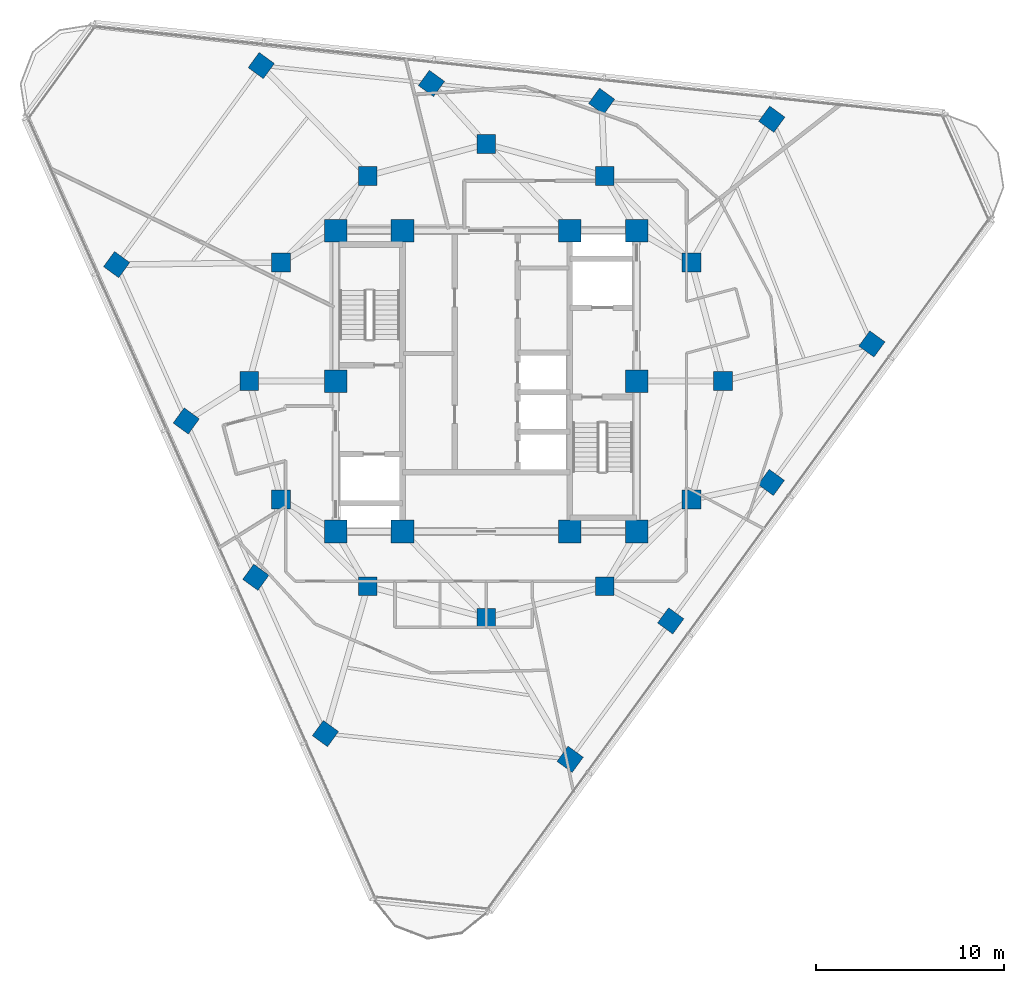
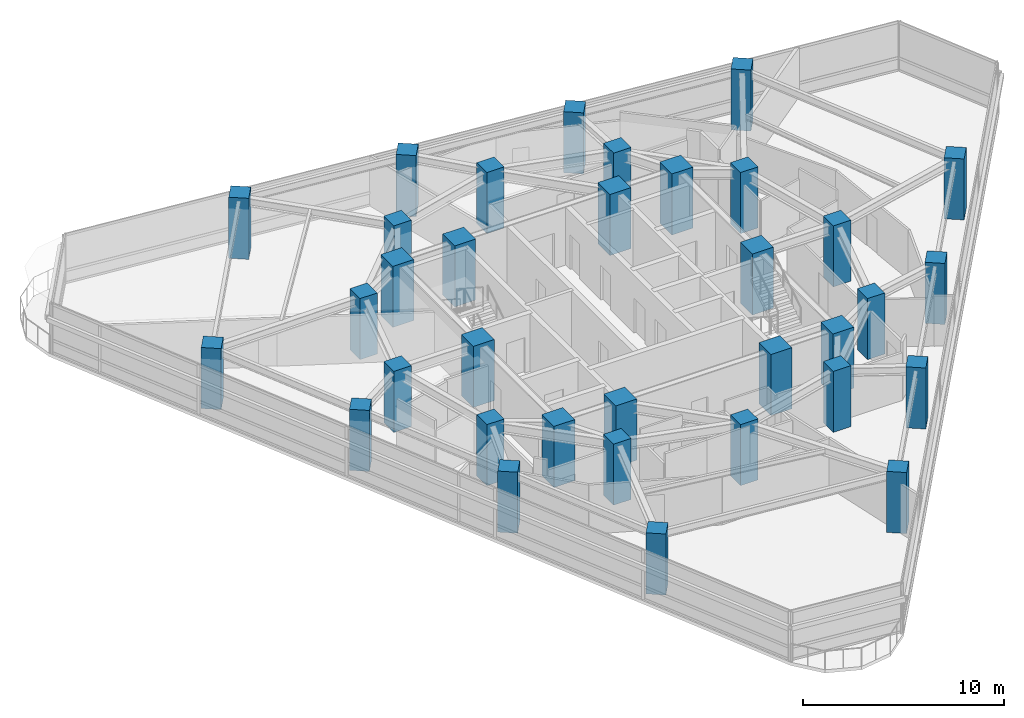
# One storey, part 1 of 14: 34 columns.
"""IFC4 building model written with IfcOpenShell, lengths in metres."""

from ifc_helpers import new_model, si_unit, direction, frame, origin, origin_2d, place, context, subcontext, project, spatial, rectangle, extrude, material, material_profile, profile_set, type_object, element, save


model = new_model("IFC4")

# Units and contexts
model_context = context("Model", 3, precision=1e-05, world=origin(), true_north=direction((0.0, 1.0)))
body_context = subcontext(model_context, "Body", "Model", "MODEL_VIEW")
ifc_project = project(units=[si_unit("LENGTHUNIT", "METRE"), si_unit("AREAUNIT", "SQUARE_METRE"), si_unit("VOLUMEUNIT", "CUBIC_METRE"), si_unit("PLANEANGLEUNIT", "RADIAN"), si_unit("MASSUNIT", "GRAM", prefix="KILO")], contexts=[model_context])

# Site, building, storey
site_placement = place(None, origin())
site = spatial("IfcSite", under=ifc_project, at=site_placement, CompositionType="ELEMENT")
building_placement = place(site_placement, origin())
building = spatial("IfcBuilding", under=site, at=building_placement, Name="Terralouvre Media Tower", CompositionType="ELEMENT")
storey_placement = place(building_placement, frame((0.0, 0.0, 218.89990234375)))
storey = spatial("IfcBuildingStorey", under=building, at=storey_placement, Name="L56", CompositionType="ELEMENT", Elevation=218.89990234375)

# Columns
ifc_material_1 = material(Name="Concrete C50/60", Category="concrete")
ifc_material_profile_1 = material_profile(ifc_material_1, rectangle(XDim=1.0, YDim=1.0, at=origin_2d()), Name="RC 1000x1000")
ifc_profile_set_1 = profile_set([ifc_material_profile_1], Name="Concrete C50/60")
column_type_1 = type_object("IfcColumnType", Name="Structural Column C-RC1000 (RC 1000x1000)", PredefinedType="COLUMN", material=ifc_profile_set_1)
for number, where, z_axis, x_axis, name in (
    (1, (12.60009765625, 0.0, 0.0), (0.0, 0.0, 1.0), (1.0, 0.0, 0.0), "L56 Mega-Frame Column MC01"),
    (2, (10.911865234375, 6.300048828125, 0.0), (0.0, 0.0, 1.0), (1.0, 0.0, 0.0), "L56 Mega-Frame Column MC02"),
    (3, (6.300048828125, 10.911865234375, 0.0), (0.0, 0.0, 1.0), (1.0, 0.0, 0.0), "L56 Mega-Frame Column MC03"),
    (4, (0.0, 12.60009765625, 0.0), (0.0, 0.0, 1.0), (1.0, 0.0, 0.0), "L56 Mega-Frame Column MC04"),
    (5, (-6.300048828125, 10.911865234375, 0.0), (0.0, 0.0, 1.0), (1.0, 0.0, 0.0), "L56 Mega-Frame Column MC05"),
    (6, (-10.911865234375, 6.300048828125, 0.0), (0.0, 0.0, 1.0), (1.0, 0.0, 0.0), "L56 Mega-Frame Column MC06"),
    (7, (-12.60009765625, 0.0, 0.0), (0.0, 0.0, 1.0), (1.0, 0.0, 0.0), "L56 Mega-Frame Column MC07"),
    (8, (-10.911865234375, -6.300048828125, 0.0), (0.0, 0.0, 1.0), (1.0, 0.0, 0.0), "L56 Mega-Frame Column MC08"),
    (9, (-6.300048828125, -10.911865234375, 0.0), (0.0, 0.0, 1.0), (1.0, 0.0, 0.0), "L56 Mega-Frame Column MC09"),
    (10, (0.0, -12.60009765625, 0.0), (0.0, 0.0, 1.0), (1.0, 0.0, 0.0), "L56 Mega-Frame Column MC10"),
    (11, (6.300048828125, -10.911865234375, 0.0), (0.0, 0.0, 1.0), (1.0, 0.0, 0.0), "L56 Mega-Frame Column MC11"),
    (12, (10.911865234375, -6.300048828125, 0.0), (0.0, 0.0, 1.0), (1.0, 0.0, 0.0), "L56 Mega-Frame Column MC12"),
    (13, (4.463623046875, -20.115478515625, 0.0), (0.0, 0.0, 1.0), (0.587785252292, 0.809016994375, 0.0), "L56 Perimeter Mega-Column PC11"),
    (14, (9.8125, -12.75341796875, 0.0), (0.0, 0.0, 1.0), (0.587785252292, 0.809016994375, 0.0), "L56 Perimeter Mega-Column PC12"),
    (15, (15.161376953125, -5.391357421875, 0.0), (0.0, 0.0, 1.0), (0.587785252292, 0.809016994375, 0.0), "L56 Perimeter Mega-Column PC13"),
    (16, (20.51025390625, 1.970703125, 0.0), (0.0, 0.0, 1.0), (0.587785252292, 0.809016994375, 0.0), "L56 Perimeter Mega-Column PC14"),
    (17, (15.1884765625, 13.92333984375, 0.0), (0.0, 0.0, 1.0), (0.587785252292, 0.809016994375, 0.0), "L56 Perimeter Mega-Column PC21"),
    (18, (6.138427734375, 14.87451171875, 0.0), (0.0, 0.0, 1.0), (0.587785252292, 0.809016994375, 0.0), "L56 Perimeter Mega-Column PC22"),
    (19, (-2.91162109375, 15.82568359375, 0.0), (0.0, 0.0, 1.0), (0.587785252292, 0.809016994375, 0.0), "L56 Perimeter Mega-Column PC23"),
    (20, (-11.9619140625, 16.77685546875, 0.0), (0.0, 0.0, 1.0), (0.587785252292, 0.809016994375, 0.0), "L56 Perimeter Mega-Column PC24"),
    (21, (-19.65234375, 6.192138671875, 0.0), (0.0, 0.0, 1.0), (0.587785252292, 0.809016994375, 0.0), "L56 Perimeter Mega-Column PC31"),
    (22, (-15.950927734375, -2.121337890625, 0.0), (0.0, 0.0, 1.0), (0.587785252292, 0.809016994375, 0.0), "L56 Perimeter Mega-Column PC32"),
    (23, (-12.249755859375, -10.4345703125, 0.0), (0.0, 0.0, 1.0), (0.587785252292, 0.809016994375, 0.0), "L56 Perimeter Mega-Column PC33"),
    (24, (-8.54833984375, -18.747802734375, 0.0), (0.0, 0.0, 1.0), (0.587785252292, 0.809016994375, 0.0), "L56 Perimeter Mega-Column PC34"),
):
    element("IfcColumn", number, at=place(storey_placement, frame(where, z_axis=z_axis, x_axis=x_axis)), inside=storey, type_object=column_type_1, Name=name, PredefinedType="COLUMN", context=body_context, shape_type="SweptSolid", body=[
        extrude(rectangle(XDim=1.0, YDim=1.0, at=origin_2d()), origin(), (0.0, 0.0, 1.0), 3.7001953125),
    ])
ifc_material_2 = material(Name="Concrete C60/75", Category="concrete")
ifc_material_profile_2 = material_profile(ifc_material_2, rectangle(XDim=1.199951171875, YDim=1.199951171875, at=origin_2d()), Name="RC 1200x1200")
ifc_profile_set_2 = profile_set([ifc_material_profile_2], Name="Concrete C60/75")
column_type_2 = type_object("IfcColumnType", Name="Structural Column C-RC1200 (RC 1200x1200)", PredefinedType="COLUMN", material=ifc_profile_set_2)
for number, where, z_axis, x_axis, name in (
    (25, (-8.0, -8.0, 0.0), (0.0, 0.0, 1.0), (1.0, 0.0, 0.0), "L56 Core Pilaster Column CP1"),
    (26, (-4.449951171875, -8.0, 0.0), (0.0, 0.0, 1.0), (1.0, 0.0, 0.0), "L56 Core Pilaster Column CP2"),
    (27, (4.449951171875, -8.0, 0.0), (0.0, 0.0, 1.0), (1.0, 0.0, 0.0), "L56 Core Pilaster Column CP10"),
    (28, (8.0, -8.0, 0.0), (0.0, 0.0, 1.0), (1.0, 0.0, 0.0), "L56 Core Pilaster Column CP3"),
    (29, (8.0, 0.0, 0.0), (0.0, 0.0, 1.0), (1.0, 0.0, 0.0), "L56 Core Pilaster Column CP4"),
    (30, (8.0, 8.0, 0.0), (0.0, 0.0, 1.0), (1.0, 0.0, 0.0), "L56 Core Pilaster Column CP5"),
    (31, (4.449951171875, 8.0, 0.0), (0.0, 0.0, 1.0), (1.0, 0.0, 0.0), "L56 Core Pilaster Column CP9"),
    (32, (-4.449951171875, 8.0, 0.0), (0.0, 0.0, 1.0), (1.0, 0.0, 0.0), "L56 Core Pilaster Column CP6"),
    (33, (-8.0, 8.0, 0.0), (0.0, 0.0, 1.0), (1.0, 0.0, 0.0), "L56 Core Pilaster Column CP7"),
    (34, (-8.0, 0.0, 0.0), (0.0, 0.0, 1.0), (1.0, 0.0, 0.0), "L56 Core Pilaster Column CP8"),
):
    element("IfcColumn", number, at=place(storey_placement, frame(where, z_axis=z_axis, x_axis=x_axis)), inside=storey, type_object=column_type_2, Name=name, PredefinedType="COLUMN", context=body_context, shape_type="SweptSolid", body=[
        extrude(rectangle(XDim=1.199951171875, YDim=1.199951171875, at=origin_2d()), origin(), (0.0, 0.0, 1.0), 3.7001953125),
    ])

save(model, "model.ifc")
